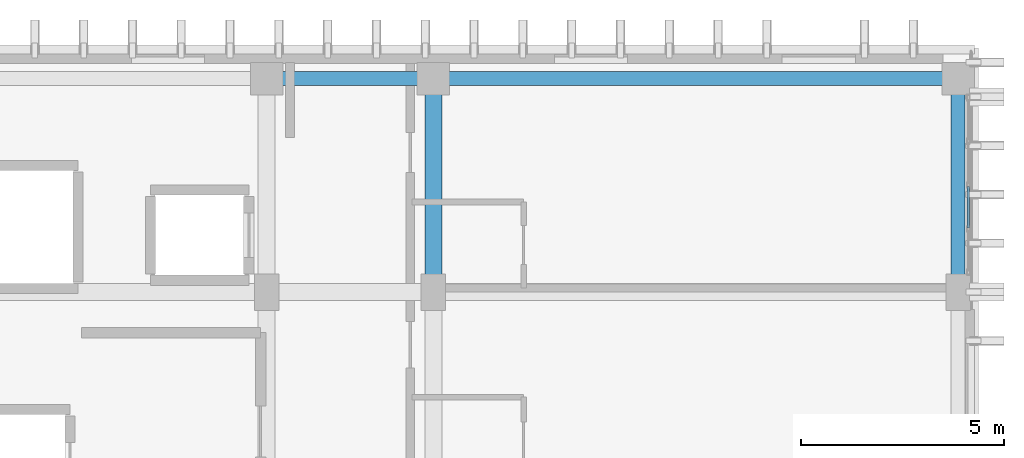
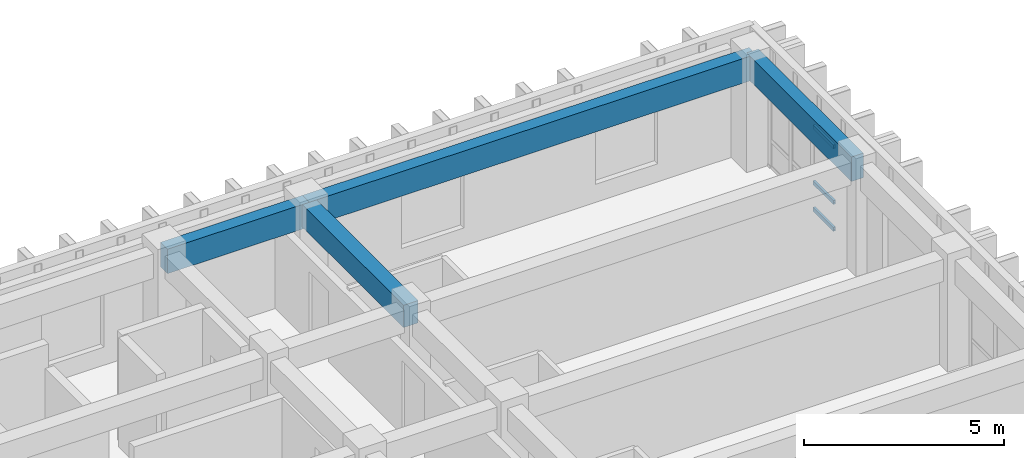
# One storey, part 55 of 82: 4 beams, 3 members, 1 element without a shape of its own.
"""IFC4 building model written with IfcOpenShell, lengths in metres."""

from ifc_helpers import new_model, si_unit, direction, frame, origin, origin_2d, place, context, subcontext, project, spatial, rectangle, hollow_rectangle, extrude, material, layer, layer_set, material_profile, profile_set, type_object, element, aggregate, save


model = new_model("IFC4")

# Units and contexts
model_context = context("Model", 3, precision=1e-05, world=origin(), true_north=direction((0.0, 1.0)))
body_context = subcontext(model_context, "Body", "Model", "MODEL_VIEW")
ifc_project = project(units=[si_unit("LENGTHUNIT", "METRE"), si_unit("AREAUNIT", "SQUARE_METRE"), si_unit("VOLUMEUNIT", "CUBIC_METRE"), si_unit("PLANEANGLEUNIT", "RADIAN"), si_unit("MASSUNIT", "GRAM", prefix="KILO")], contexts=[model_context])

# Site, building, storey
site_placement = place(None, origin())
site = spatial("IfcSite", under=ifc_project, at=site_placement, CompositionType="ELEMENT")
building_placement = place(site_placement, origin())
building = spatial("IfcBuilding", under=site, at=building_placement, Name="Nakhvara Creek Congress Hotel", CompositionType="ELEMENT")
storey_placement = place(building_placement, frame((0.0, 0.0, 21.0)))
storey = spatial("IfcBuildingStorey", under=building, at=storey_placement, Name="L04", CompositionType="ELEMENT", Elevation=21.0)

# Beams
ifc_material_1 = material(Name="Concrete C40/50", Category="concrete")
ifc_material_profile_1 = material_profile(ifc_material_1, rectangle(XDim=0.419921875, YDim=0.679931640625, at=origin_2d()), Name="RC-BM 420x680", Category="LoadBearing")
ifc_profile_set_1 = profile_set([ifc_material_profile_1], Name="Concrete C40/50")
beam_type_1 = type_object("IfcBeamType", Name="BM-RC-420X680", PredefinedType="BEAM", material=ifc_profile_set_1)
beam_1_placement = place(storey_placement, frame((166.449951171875, 120.0, 3.0), z_axis=(0.0, 1.0, 0.0), x_axis=(-1.0, 0.0, 0.0)))
element("IfcBeam", 1, at=beam_1_placement, inside=storey, type_object=beam_type_1, Name="Beam B11-L04-2006", PredefinedType="BEAM", context=body_context, shape_type="SweptSolid", body=[
    extrude(rectangle(XDim=0.419921875, YDim=0.679931640625, at=origin_2d()), origin(), (0.0, 0.0, 1.0), 5.25),
])
ifc_material_profile_2 = material_profile(ifc_material_1, rectangle(XDim=0.35009765625, YDim=0.75, at=origin_2d()), Name="RC-SPANDREL 350x750", Category="LoadBearing")
ifc_profile_set_2 = profile_set([ifc_material_profile_2], Name="Concrete C40/50")
beam_type_2 = type_object("IfcBeamType", Name="BM-SPN-350X750", PredefinedType="SPANDREL", material=ifc_profile_set_2)
beam_2_placement = place(storey_placement, frame((162.35009765625, 125.25, 2.965087890625), z_axis=(1.0, 0.0, 0.0), x_axis=(0.0, 1.0, 0.0)))
element("IfcBeam", 2, at=beam_2_placement, inside=storey, type_object=beam_type_2, Name="Beam SP1-L04-1973", PredefinedType="SPANDREL", context=body_context, shape_type="SweptSolid", body=[
    extrude(rectangle(XDim=0.35009765625, YDim=0.75, at=origin_2d()), origin(), (0.0, 0.0, 1.0), 4.099853515625),
])
beam_3_placement = place(storey_placement, frame((166.449951171875, 125.25, 2.965087890625), z_axis=(1.0, 0.0, 0.0), x_axis=(0.0, 1.0, 0.0)))
element("IfcBeam", 3, at=beam_3_placement, inside=storey, type_object=beam_type_2, Name="Beam SP1-L04-2005", PredefinedType="SPANDREL", context=body_context, shape_type="SweptSolid", body=[
    extrude(rectangle(XDim=0.35009765625, YDim=0.75, at=origin_2d()), origin(), (0.0, 0.0, 1.0), 12.900146484375),
])
beam_4_placement = place(storey_placement, frame((179.35009765625, 120.0, 2.965087890625), z_axis=(0.0, 1.0, 0.0), x_axis=(-1.0, 0.0, 0.0)))
element("IfcBeam", 4, at=beam_4_placement, inside=storey, type_object=beam_type_2, Name="Beam SP1-L04-2028", PredefinedType="SPANDREL", context=body_context, shape_type="SweptSolid", body=[
    extrude(rectangle(XDim=0.35009765625, YDim=0.75, at=origin_2d()), origin(), (0.0, 0.0, 1.0), 5.25),
])

# Curtain wall, members
ifc_material_2 = material(Name="Bronze-anodised aluminium AW-6063-T6 and double-silver low-E glass", Category="aluminium")
ifc_layer = layer(ifc_material_2, 0.199951171875)
ifc_layer_set = layer_set([ifc_layer], Name="Bronze-anodised aluminium AW-6063-T6 and double-silver low-E glass")
curtain_wall_type = type_object("IfcCurtainWallType", Name="CW-HTL-UNIT", PredefinedType="USERDEFINED", material=ifc_layer_set)
curtain_wall_placement = place(storey_placement, origin())
curtain_wall = element("IfcCurtainWall", 5, at=curtain_wall_placement, inside=storey, type_object=curtain_wall_type, Name="Curtain Wall CW200", ObjectType="UNITISED", PredefinedType="USERDEFINED")
ifc_material_3 = material(Name="Bronze-anodised aluminium AW-6063-T6", Category="aluminium")
ifc_material_profile_3 = material_profile(ifc_material_3, hollow_rectangle(XDim=0.06494140625, YDim=0.1201171875, WallThickness=0.00390625, at=origin_2d()), Name="ALU-TRAN 65x120x4", Category="LoadBearing")
ifc_profile_set_3 = profile_set([ifc_material_profile_3], Name="Bronze-anodised aluminium AW-6063-T6")
member_type = type_object("IfcMemberType", Name="CW-TRAN-120", PredefinedType="USERDEFINED", material=ifc_profile_set_3)
member_1_placement = place(storey_placement, frame((179.60009765625, 122.60009765625, 0.032470703125), z_axis=(0.0, -1.0, 0.0), x_axis=(1.0, 0.0, 0.0)))
member_1 = element("IfcMember", 6, at=member_1_placement, type_object=member_type, Name="CW200 transom 3.1", ObjectType="TRANSOM", PredefinedType="USERDEFINED", context=body_context, shape_type="SweptSolid", body=[
    extrude(hollow_rectangle(XDim=0.06494140625, YDim=0.1201171875, WallThickness=0.00390625, at=origin_2d()), origin(), (0.0, 0.0, 1.0), 1.018798828125),
])
member_2_placement = place(storey_placement, frame((179.60009765625, 122.60009765625, 0.85009765625), z_axis=(0.0, -1.0, 0.0), x_axis=(1.0, 0.0, 0.0)))
member_2 = element("IfcMember", 7, at=member_2_placement, type_object=member_type, Name="CW200 transom 3.2", ObjectType="TRANSOM", PredefinedType="USERDEFINED", context=body_context, shape_type="SweptSolid", body=[
    extrude(hollow_rectangle(XDim=0.06494140625, YDim=0.1201171875, WallThickness=0.00390625, at=origin_2d()), origin(), (0.0, 0.0, 1.0), 1.018798828125),
])
member_3_placement = place(storey_placement, frame((179.60009765625, 122.60009765625, 2.549560546875), z_axis=(0.0, -1.0, 0.0), x_axis=(1.0, 0.0, 0.0)))
member_3 = element("IfcMember", 8, at=member_3_placement, type_object=member_type, Name="CW200 transom 3.3", ObjectType="TRANSOM", PredefinedType="USERDEFINED", context=body_context, shape_type="SweptSolid", body=[
    extrude(hollow_rectangle(XDim=0.06494140625, YDim=0.1201171875, WallThickness=0.00390625, at=origin_2d()), origin(), (0.0, 0.0, 1.0), 1.018798828125),
])
aggregate(curtain_wall, [member_1, member_2, member_3])

save(model, "model.ifc")
